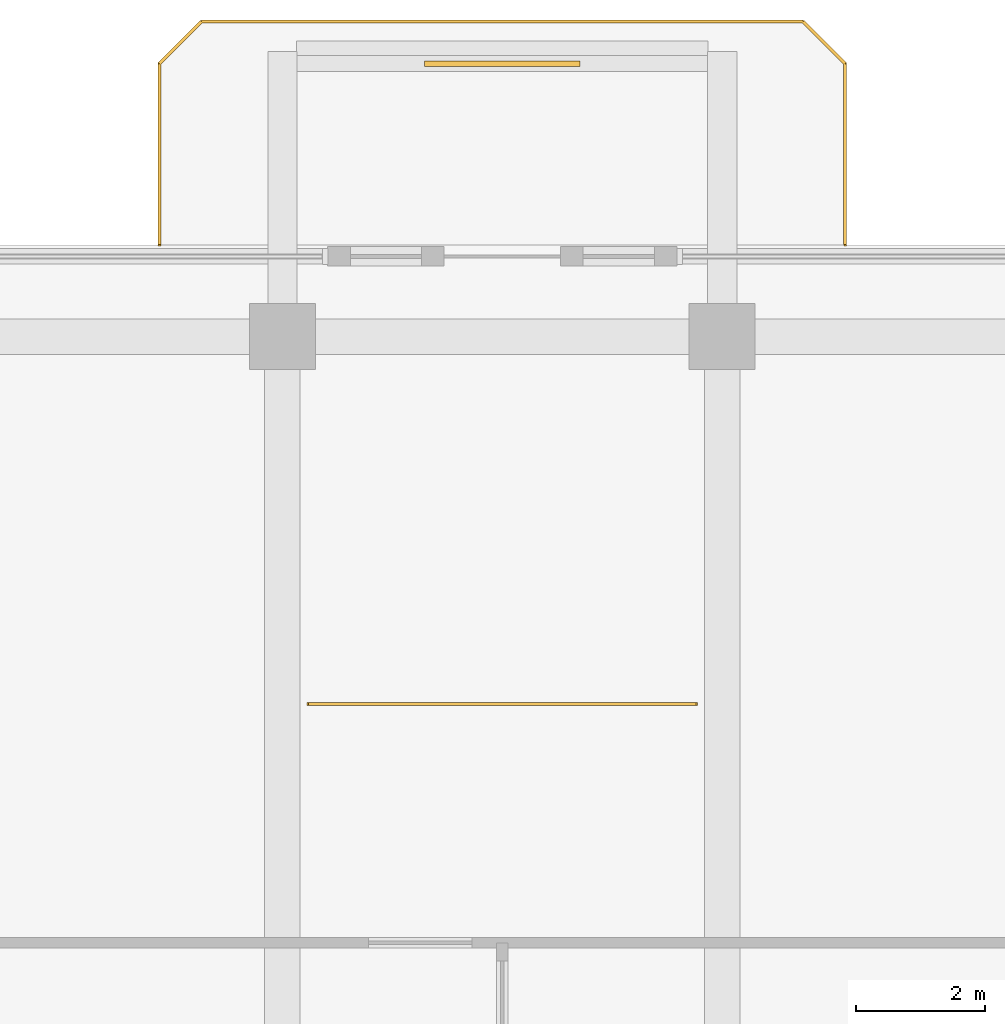
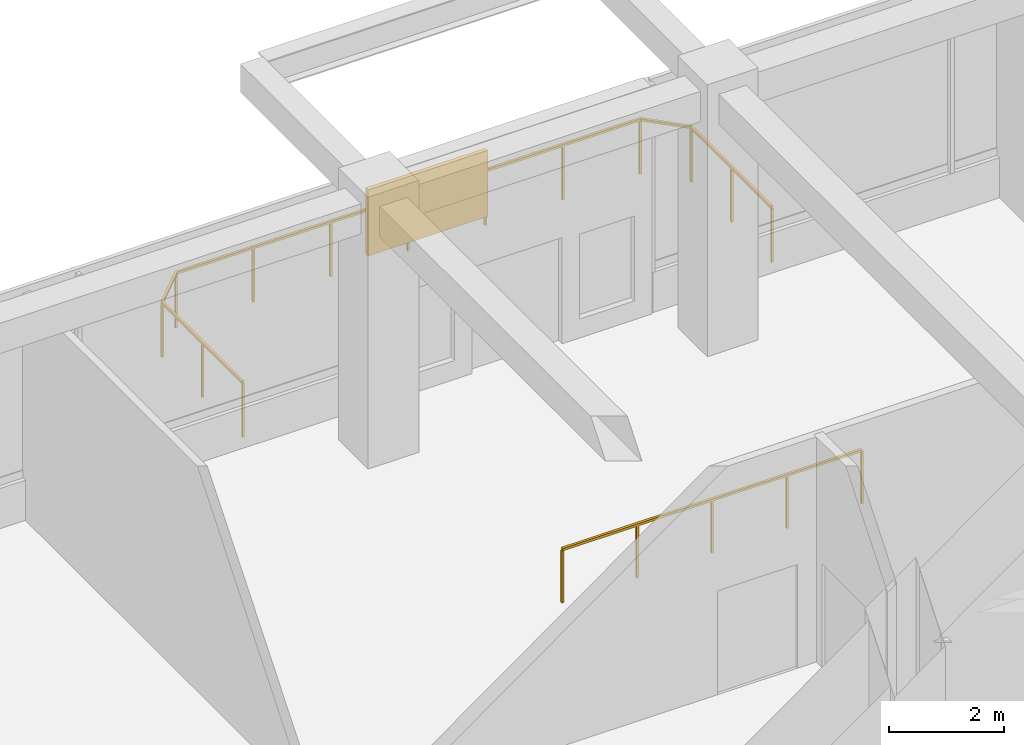
# One storey, part 13 of 13: 2 railings, 1 shading device.
"""IFC4 building model written with IfcOpenShell, lengths in metres."""

from ifc_helpers import new_model, si_unit, derived_unit, direction, frame, origin, origin_2d, place, context, subcontext, project, spatial, rectangle, extrude, material, layer, layer_set, type_object, element, save


model = new_model("IFC4")

# Units and contexts
model_context = context("Model", 3, precision=1e-05, world=origin(), true_north=direction((0.0, 1.0)))
body_context = subcontext(model_context, "Body", "Model", "MODEL_VIEW")
ifc_project = project(units=[si_unit("LENGTHUNIT", "METRE"), si_unit("AREAUNIT", "SQUARE_METRE"), si_unit("VOLUMEUNIT", "CUBIC_METRE"), si_unit("PLANEANGLEUNIT", "RADIAN"), si_unit("MASSUNIT", "GRAM", prefix="KILO"), derived_unit("THERMALTRANSMITTANCEUNIT", [(si_unit("POWERUNIT", "WATT"), 1), (si_unit("LENGTHUNIT", "METRE"), -2), (si_unit("THERMODYNAMICTEMPERATUREUNIT", "KELVIN"), -1)])], contexts=[model_context])

# Site, building, storey
site_placement = place(None, origin())
site = spatial("IfcSite", under=ifc_project, at=site_placement, CompositionType="ELEMENT")
building_placement = place(site_placement, origin())
building = spatial("IfcBuilding", under=site, at=building_placement, Name="Koralith Skygarden Medical Center", CompositionType="ELEMENT")
storey_placement = place(building_placement, frame((0.0, 0.0, 75.419921875)))
storey = spatial("IfcBuildingStorey", under=building, at=storey_placement, Name="L19", CompositionType="ELEMENT", Elevation=75.419921875)

# Railings
ifc_material_1 = material(Name="Clear Laminated Glass", Category="glass")
railing_type_1 = type_object("IfcRailingType", Name="Atrium & Sky-Lobby Glass Balustrade 1150", PredefinedType="BALUSTRADE", material=ifc_material_1)
railing_1_placement = place(storey_placement, frame((34.0, 41.199951171875, 0.0)))
element("IfcRailing", 1, at=railing_1_placement, inside=storey, type_object=railing_type_1, Name="L19 Sky-Lobby Conservatory Gallery Balustrade", PredefinedType="BALUSTRADE", context=body_context, shape_type="SweptSolid", body=[
    extrude(rectangle(XDim=0.050048828125, YDim=0.050048828125, at=origin_2d()), frame((0.001953125, 0.0, 1.125), z_axis=(1.0, 0.0, 0.0), x_axis=(0.0, 1.0, 0.0)), (0.0, 0.0, 1.0), 5.99609375),
    extrude(rectangle(XDim=0.0419921875, YDim=0.0419921875, at=origin_2d()), origin(), (0.0, 0.0, 1.0), 1.097900390625),
    extrude(rectangle(XDim=0.0419921875, YDim=0.0419921875, at=origin_2d()), frame((1.5, 0.0, 0.0)), (0.0, 0.0, 1.0), 1.097900390625),
    extrude(rectangle(XDim=0.0419921875, YDim=0.0419921875, at=origin_2d()), frame((3.0, 0.0, 0.0)), (0.0, 0.0, 1.0), 1.097900390625),
    extrude(rectangle(XDim=0.0419921875, YDim=0.0419921875, at=origin_2d()), frame((4.5, 0.0, 0.0)), (0.0, 0.0, 1.0), 1.097900390625),
    extrude(rectangle(XDim=0.0419921875, YDim=0.0419921875, at=origin_2d()), frame((6.0, 0.0, 0.0)), (0.0, 0.0, 1.0), 1.097900390625),
])
ifc_material_2 = material(Name="Steel ASTM A500 Grade C", Category="steel")
railing_type_2 = type_object("IfcRailingType", Name="Outdoor Terrace & Balcony Safety Guardrail 1180", PredefinedType="GUARDRAIL", material=ifc_material_2)
railing_2_placement = place(storey_placement, frame((42.300048828125, 48.300048828125, 0.0)))
element("IfcRailing", 2, at=railing_2_placement, inside=storey, type_object=railing_type_2, Name="L19 N Balcony Perimeter Guardrail", PredefinedType="GUARDRAIL", context=body_context, shape_type="SweptSolid", body=[
    extrude(rectangle(XDim=0.050048828125, YDim=0.050048828125, at=origin_2d()), frame((0.0, 0.001953125, 1.15478515625), z_axis=(0.0, 1.0, 0.0), x_axis=(-1.0, 0.0, 0.0)), (0.0, 0.0, 1.0), 2.796142578125),
    extrude(rectangle(XDim=0.050048828125, YDim=0.050048828125, at=origin_2d()), frame((-0.00146484375, 2.801513671875, 1.15478515625), z_axis=(-0.707239558722, 0.706973978714, 0.0), x_axis=(-0.706973978714, -0.707239558722, 0.0)), (0.0, 0.0, 1.0), 0.915283203125),
    extrude(rectangle(XDim=0.050048828125, YDim=0.050048828125, at=origin_2d()), frame((-0.652099609375, 3.449951171875, 1.15478515625), z_axis=(-1.0, 0.0, 0.0), x_axis=(0.0, -1.0, 0.0)), (0.0, 0.0, 1.0), 9.2958984375),
    extrude(rectangle(XDim=0.050048828125, YDim=0.050048828125, at=origin_2d()), frame((-9.951416015625, 3.448486328125, 1.15478515625), z_axis=(-0.707239558722, -0.706973978714, 0.0), x_axis=(0.706973978714, -0.707239558722, 0.0)), (0.0, 0.0, 1.0), 0.915283203125),
    extrude(rectangle(XDim=0.050048828125, YDim=0.050048828125, at=origin_2d()), frame((-10.60009765625, 2.798095703125, 1.15478515625), z_axis=(0.0, -1.0, 0.0), x_axis=(1.0, 0.0, 0.0)), (0.0, 0.0, 1.0), 2.796142578125),
    extrude(rectangle(XDim=0.0419921875, YDim=0.0419921875, at=origin_2d()), origin(), (0.0, 0.0, 1.0), 1.1279296875),
    extrude(rectangle(XDim=0.0419921875, YDim=0.0419921875, at=origin_2d()), frame((0.0, 1.39990234375, 0.0)), (0.0, 0.0, 1.0), 1.1279296875),
    extrude(rectangle(XDim=0.0419921875, YDim=0.0419921875, at=origin_2d()), frame((0.0, 2.800048828125, 0.0)), (0.0, 0.0, 1.0), 1.1279296875),
    extrude(rectangle(XDim=0.0419921875, YDim=0.0419921875, at=origin_2d()), frame((-0.650146484375, 3.449951171875, 0.0)), (0.0, 0.0, 1.0), 1.1279296875),
    extrude(rectangle(XDim=0.0419921875, YDim=0.0419921875, at=origin_2d()), frame((-2.2001953125, 3.449951171875, 0.0)), (0.0, 0.0, 1.0), 1.1279296875),
    extrude(rectangle(XDim=0.0419921875, YDim=0.0419921875, at=origin_2d()), frame((-3.75, 3.449951171875, 0.0)), (0.0, 0.0, 1.0), 1.1279296875),
    extrude(rectangle(XDim=0.0419921875, YDim=0.0419921875, at=origin_2d()), frame((-5.300048828125, 3.449951171875, 0.0)), (0.0, 0.0, 1.0), 1.1279296875),
    extrude(rectangle(XDim=0.0419921875, YDim=0.0419921875, at=origin_2d()), frame((-6.85009765625, 3.449951171875, 0.0)), (0.0, 0.0, 1.0), 1.1279296875),
    extrude(rectangle(XDim=0.0419921875, YDim=0.0419921875, at=origin_2d()), frame((-8.39990234375, 3.449951171875, 0.0)), (0.0, 0.0, 1.0), 1.1279296875),
    extrude(rectangle(XDim=0.0419921875, YDim=0.0419921875, at=origin_2d()), frame((-9.949951171875, 3.449951171875, 0.0)), (0.0, 0.0, 1.0), 1.1279296875),
    extrude(rectangle(XDim=0.0419921875, YDim=0.0419921875, at=origin_2d()), frame((-10.60009765625, 2.800048828125, 0.0)), (0.0, 0.0, 1.0), 1.1279296875),
    extrude(rectangle(XDim=0.0419921875, YDim=0.0419921875, at=origin_2d()), frame((-10.60009765625, 1.39990234375, 0.0)), (0.0, 0.0, 1.0), 1.1279296875),
    extrude(rectangle(XDim=0.0419921875, YDim=0.0419921875, at=origin_2d()), frame((-10.60009765625, 0.0, 0.0)), (0.0, 0.0, 1.0), 1.1279296875),
])

# Shading device
ifc_material_3 = material(Name="Aluminium 6063-T6", Category="aluminium")
ifc_layer = layer(ifc_material_3, 0.080078125)
ifc_layer_set = layer_set([ifc_layer], Name="Aluminium 6063-T6")
shading_device_type = type_object("IfcShadingDeviceType", Name="Perforated Biophilic Balcony Trellis Screen", PredefinedType="USERDEFINED", material=ifc_layer_set)
shading_device_placement = place(storey_placement, frame((37.0, 51.10009765625, 0.72021484375), z_axis=(0.0, 0.0, 1.0), x_axis=(1.0, 0.0, 0.0)))
element("IfcShadingDevice", 3, at=shading_device_placement, inside=storey, type_object=shading_device_type, Name="L19 N Biophilic Balcony Trellis Screen", ObjectType="HURRICANE SCREEN", PredefinedType="USERDEFINED", context=body_context, shape_type="SweptSolid", body=[
    extrude(rectangle(XDim=2.39990234375, YDim=0.080078125, at=origin_2d()), origin(), (0.0, 0.0, 1.0), 1.39990234375),
])

save(model, "model.ifc")
